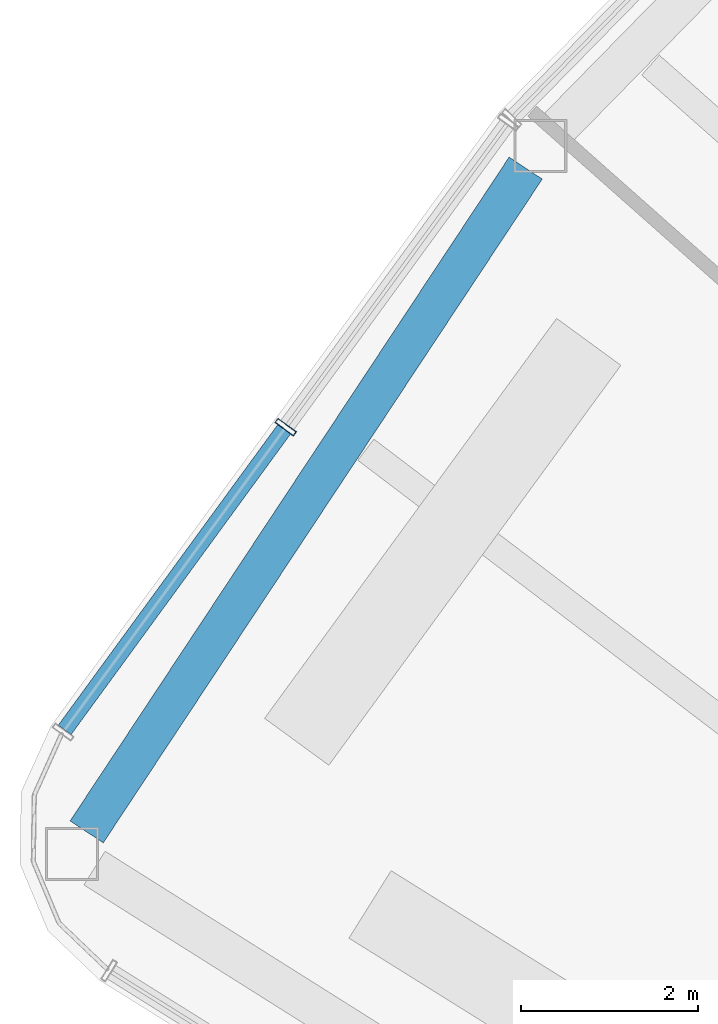
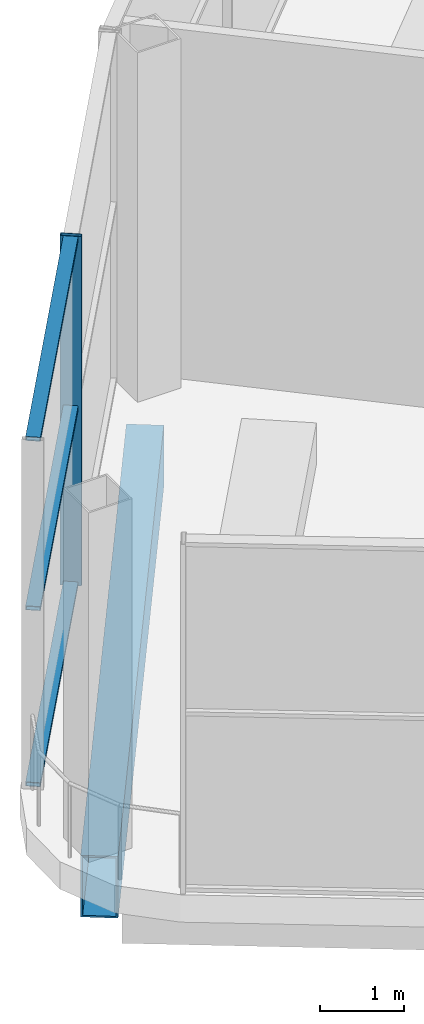
# One storey, part 4 of 43: 4 members, 1 beam, 1 element without a shape of its own.
"""IFC4 building model written with IfcOpenShell, lengths in metres."""

from ifc_helpers import new_model, si_unit, direction, frame, origin, origin_2d, place, context, subcontext, project, spatial, hollow_rectangle, extrude, material, layer, layer_set, material_profile, profile_set, type_object, element, aggregate, save


model = new_model("IFC4")

# Units and contexts
model_context = context("Model", 3, precision=1e-05, world=origin(), true_north=direction((0.0, 1.0)))
body_context = subcontext(model_context, "Body", "Model", "MODEL_VIEW")
ifc_project = project(units=[si_unit("LENGTHUNIT", "METRE"), si_unit("AREAUNIT", "SQUARE_METRE"), si_unit("VOLUMEUNIT", "CUBIC_METRE"), si_unit("PLANEANGLEUNIT", "RADIAN"), si_unit("MASSUNIT", "GRAM", prefix="KILO")], contexts=[model_context])

# Site, building, storey
site_placement = place(None, origin())
site = spatial("IfcSite", under=ifc_project, at=site_placement, CompositionType="ELEMENT")
building_placement = place(site_placement, origin())
building = spatial("IfcBuilding", under=site, at=building_placement, Name="Tuul Gate Civic Tower", CompositionType="ELEMENT")
storey_placement = place(building_placement, frame((0.0, 0.0, 349.10009765625)))
storey = spatial("IfcBuildingStorey", under=building, at=storey_placement, Name="Observation level 1", CompositionType="ELEMENT", Elevation=349.10009765625)

# Curtain wall, members
ifc_material_1 = material(Name="Stainless steel", Category="steel")
ifc_layer = layer(ifc_material_1, 0.199951171875)
ifc_layer_set = layer_set([ifc_layer], Name="Stainless steel")
curtain_wall_type = type_object("IfcCurtainWallType", Name="Curtain wall CW4", PredefinedType="NOTDEFINED", material=ifc_layer_set)
curtain_wall_placement = place(storey_placement, origin())
curtain_wall = element("IfcCurtainWall", 1, at=curtain_wall_placement, inside=storey, type_object=curtain_wall_type, Name="Curtain wall CW4", PredefinedType="NOTDEFINED")
ifc_material_2 = material(Name="Stainless steel", Category="steel")
ifc_material_profile_1 = material_profile(ifc_material_2, hollow_rectangle(XDim=0.260009765625, YDim=0.06005859375, WallThickness=0.006103515625, at=origin_2d()), Name="CW4 mullion")
ifc_profile_set_1 = profile_set([ifc_material_profile_1], Name="Stainless steel")
member_type_1 = type_object("IfcMemberType", Name="CW4 mullion", PredefinedType="MULLION", material=ifc_profile_set_1)
member_1_placement = place(storey_placement, frame((-57.06103515625, -15.469970703125, 0.0), z_axis=(0.0, 0.0, 1.0), x_axis=(0.807578487079, -0.589760109881, 0.0)))
member_1 = element("IfcMember", 2, at=member_1_placement, type_object=member_type_1, Name="Mullion", PredefinedType="MULLION", context=body_context, shape_type="SweptSolid", body=[
    extrude(hollow_rectangle(XDim=0.260009765625, YDim=0.06005859375, WallThickness=0.006103515625, at=origin_2d()), origin(), (0.0, 0.0, 1.0), 5.099853515625),
])
ifc_material_3 = material(Name="Stainless steel", Category="steel")
ifc_material_profile_2 = material_profile(ifc_material_3, hollow_rectangle(XDim=0.179931640625, YDim=0.06005859375, WallThickness=0.006103515625, at=origin_2d()), Name="CW4 transom")
ifc_profile_set_2 = profile_set([ifc_material_profile_2], Name="Stainless steel")
member_type_2 = type_object("IfcMemberType", Name="CW4 transom", PredefinedType="USERDEFINED", material=ifc_profile_set_2)
member_2_placement = place(storey_placement, frame((-57.07861328125, -15.494140625, 0.02978515625), z_axis=(-0.589749140604, -0.807586497631, 0.0), x_axis=(0.807586497631, -0.589749140604, 0.0)))
member_2 = element("IfcMember", 3, at=member_2_placement, type_object=member_type_2, Name="Transom", ObjectType="TRANSOM", PredefinedType="USERDEFINED", context=body_context, shape_type="SweptSolid", body=[
    extrude(hollow_rectangle(XDim=0.179931640625, YDim=0.06005859375, WallThickness=0.006103515625, at=origin_2d()), origin(), (0.0, 0.0, 1.0), 4.211669921875),
])
member_3_placement = place(storey_placement, frame((-57.07861328125, -15.494140625, 2.599853515625), z_axis=(-0.589749140604, -0.807586497631, 0.0), x_axis=(0.807586497631, -0.589749140604, 0.0)))
member_3 = element("IfcMember", 4, at=member_3_placement, type_object=member_type_2, Name="Transom", ObjectType="TRANSOM", PredefinedType="USERDEFINED", context=body_context, shape_type="SweptSolid", body=[
    extrude(hollow_rectangle(XDim=0.179931640625, YDim=0.06005859375, WallThickness=0.006103515625, at=origin_2d()), origin(), (0.0, 0.0, 1.0), 4.211669921875),
])
member_4_placement = place(storey_placement, frame((-57.07861328125, -15.494140625, 5.06982421875), z_axis=(-0.589749140604, -0.807586497631, 0.0), x_axis=(0.807586497631, -0.589749140604, 0.0)))
member_4 = element("IfcMember", 5, at=member_4_placement, type_object=member_type_2, Name="Transom", ObjectType="TRANSOM", PredefinedType="USERDEFINED", context=body_context, shape_type="SweptSolid", body=[
    extrude(hollow_rectangle(XDim=0.179931640625, YDim=0.06005859375, WallThickness=0.006103515625, at=origin_2d()), origin(), (0.0, 0.0, 1.0), 4.211669921875),
])
aggregate(curtain_wall, [member_1, member_2, member_3, member_4])

# Beam
ifc_material_4 = material(Name="Steel S355", Category="steel")
ifc_material_profile_3 = material_profile(ifc_material_4, hollow_rectangle(XDim=0.449951171875, YDim=0.89990234375, WallThickness=0.02490234375, at=origin_2d()), Name="BOX900x450x25")
ifc_profile_set_3 = profile_set([ifc_material_profile_3], Name="Steel S355")
beam_type = type_object("IfcBeamType", Name="STR-SPANDREL BEAM-BOX900x450x25", PredefinedType="BEAM", material=ifc_profile_set_3)
beam_placement = place(storey_placement, frame((-54.345458984375, -12.538330078125, -0.85009765625), z_axis=(-0.551649794693, -0.834075838288, 0.0), x_axis=(0.834075838288, -0.551649794693, 0.0)))
element("IfcBeam", 6, at=beam_placement, inside=storey, type_object=beam_type, Name="Spandrel beam", PredefinedType="BEAM", context=body_context, shape_type="SweptSolid", body=[
    extrude(hollow_rectangle(XDim=0.449951171875, YDim=0.89990234375, WallThickness=0.02490234375, at=origin_2d()), origin(), (0.0, 0.0, 1.0), 9.005859375),
])

save(model, "model.ifc")
